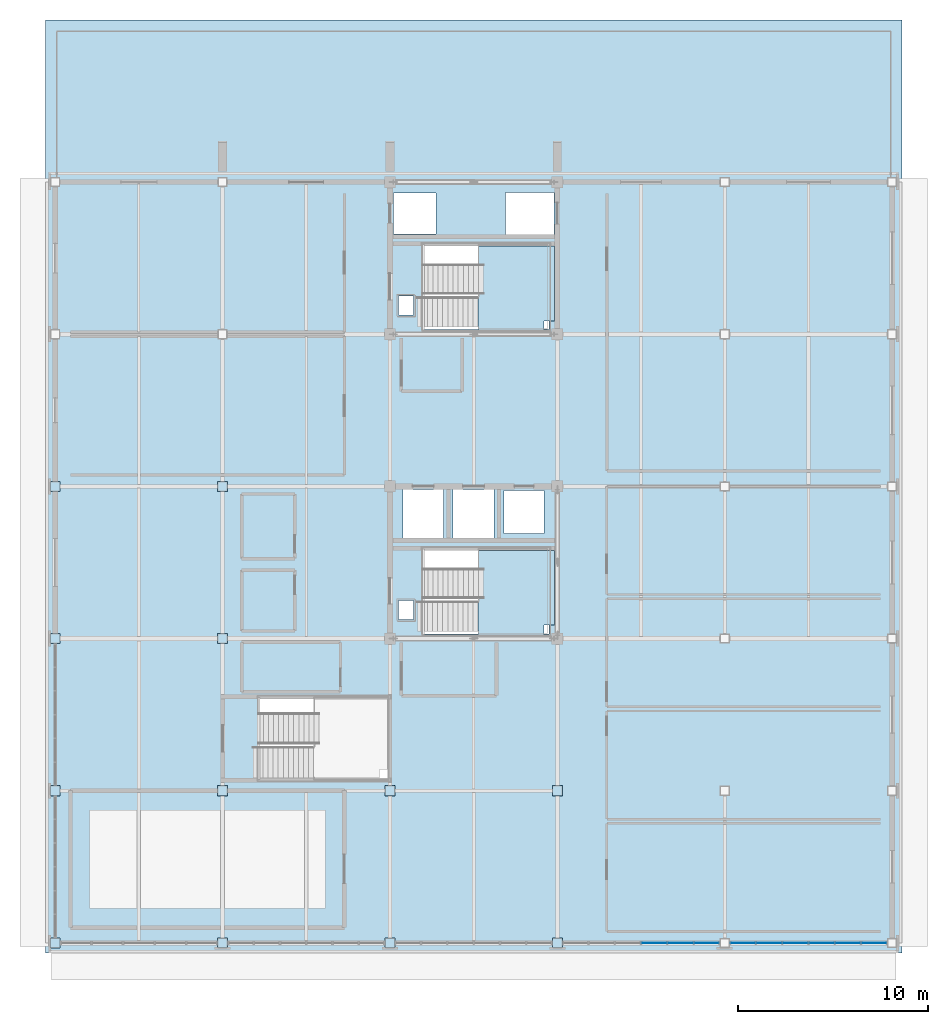
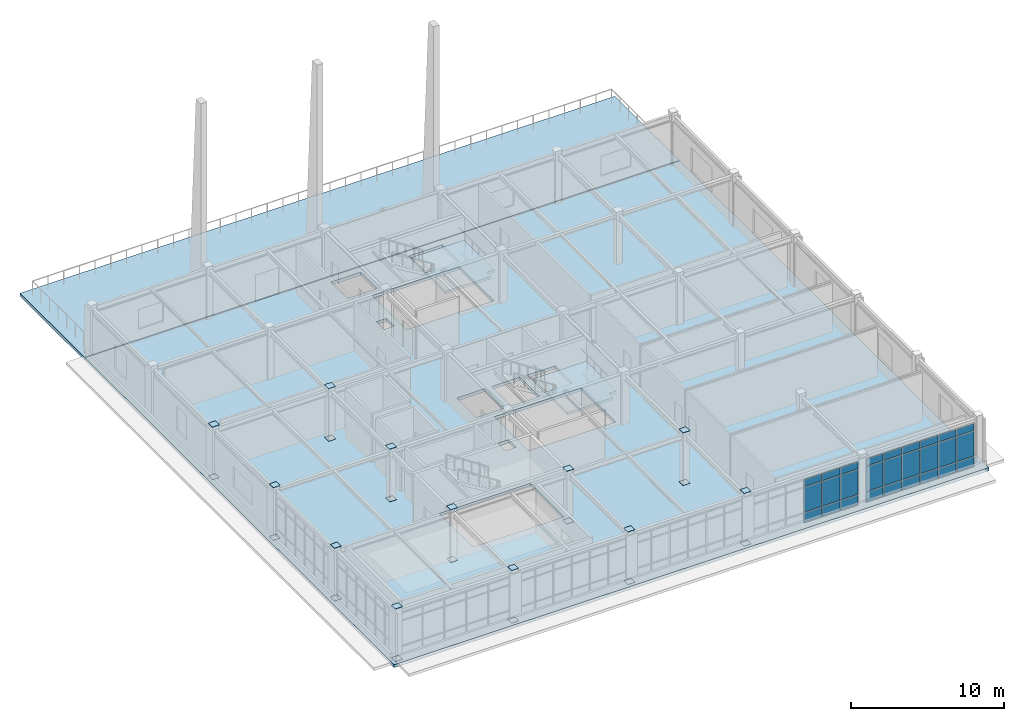
# One storey, part 10 of 22: 51 plates, 4 slabs, 4 elements without a shape of their own.
"""IFC4 building model written with IfcOpenShell, lengths in metres."""

from ifc_helpers import new_model, si_unit, direction, frame, origin, origin_2d, place, context, subcontext, project, spatial, polyline, rectangle, outline, extrude, material, layer, layer_set, type_object, element, aggregate, save


model = new_model("IFC4")

# Units and contexts
model_context = context("Model", 3, precision=1e-05, world=origin(), true_north=direction((0.0, 1.0)))
body_context = subcontext(model_context, "Body", "Model", "MODEL_VIEW")
ifc_project = project(units=[si_unit("LENGTHUNIT", "METRE"), si_unit("AREAUNIT", "SQUARE_METRE"), si_unit("VOLUMEUNIT", "CUBIC_METRE"), si_unit("PLANEANGLEUNIT", "RADIAN"), si_unit("MASSUNIT", "GRAM", prefix="KILO")], contexts=[model_context])

# Site, building, storey
site_placement = place(None, origin())
site = spatial("IfcSite", under=ifc_project, at=site_placement, CompositionType="ELEMENT")
building_placement = place(site_placement, origin())
building = spatial("IfcBuilding", under=site, at=building_placement, Name="Zhaolan Boulevard Law Courts", CompositionType="ELEMENT")
storey_placement = place(building_placement, frame((0.0, 0.0, 28.800048828125)))
storey = spatial("IfcBuildingStorey", under=building, at=storey_placement, Name="L06", CompositionType="ELEMENT", Elevation=28.800048828125)

# Curtain wall, plates
ifc_material_1 = material(Name="Thermally broken aluminium and low-E glazing", Category="aluminium")
curtain_wall_type_1 = type_object("IfcCurtainWallType", Name="CURTAIN WALL M11", PredefinedType="USERDEFINED", material=ifc_material_1)
curtain_wall_1_placement = place(storey_placement, origin())
curtain_wall_1 = element("IfcCurtainWall", 1, at=curtain_wall_1_placement, inside=storey, type_object=curtain_wall_type_1, Name="Curtain Wall CW-L06-227", ObjectType="CURTAIN WALL", PredefinedType="USERDEFINED")
ifc_material_2 = material(Name="Triple-silver low-E insulated glazing", Category="glass")
ifc_layer_1 = layer(ifc_material_2, 0.028076171875)
ifc_layer_set_1 = layer_set([ifc_layer_1])
plate_type_1 = type_object("IfcPlateType", Name="CWPANEL LOW E28", PredefinedType="CURTAIN_PANEL", material=ifc_layer_set_1)
plate_1_placement = place(storey_placement, frame((31.491455078125, 30.0, 0.059814453125), z_axis=(0.0, 0.0, 1.0), x_axis=(1.0, 0.0, 0.0)))
plate_1 = element("IfcPlate", 2, at=plate_1_placement, type_object=plate_type_1, Name="CW-L06-227 panel 4.1", PredefinedType="CURTAIN_PANEL", context=body_context, shape_type="SweptSolid", body=[
    extrude(rectangle(XDim=1.32275390625, YDim=0.028076171875, at=origin_2d()), origin(), (0.0, 0.0, 1.0), 0.81005859375),
])
plate_2_placement = place(storey_placement, frame((31.491455078125, 30.0, 0.929931640625), z_axis=(0.0, 0.0, 1.0), x_axis=(1.0, 0.0, 0.0)))
plate_2 = element("IfcPlate", 3, at=plate_2_placement, type_object=plate_type_1, Name="CW-L06-227 panel 4.2", PredefinedType="CURTAIN_PANEL", context=body_context, shape_type="SweptSolid", body=[
    extrude(rectangle(XDim=1.32275390625, YDim=0.028076171875, at=origin_2d()), origin(), (0.0, 0.0, 1.0), 1.98291015625),
])
plate_3_placement = place(storey_placement, frame((31.491455078125, 30.0, 2.972900390625), z_axis=(0.0, 0.0, 1.0), x_axis=(1.0, 0.0, 0.0)))
plate_3 = element("IfcPlate", 4, at=plate_3_placement, type_object=plate_type_1, Name="CW-L06-227 panel 4.3", PredefinedType="CURTAIN_PANEL", context=body_context, shape_type="SweptSolid", body=[
    extrude(rectangle(XDim=1.32275390625, YDim=0.028076171875, at=origin_2d()), origin(), (0.0, 0.0, 1.0), 0.56005859375),
])
plate_4_placement = place(storey_placement, frame((32.8740234375, 30.0, 0.059814453125), z_axis=(0.0, 0.0, 1.0), x_axis=(1.0, 0.0, 0.0)))
plate_4 = element("IfcPlate", 5, at=plate_4_placement, type_object=plate_type_1, Name="CW-L06-227 panel 5.1", PredefinedType="CURTAIN_PANEL", context=body_context, shape_type="SweptSolid", body=[
    extrude(rectangle(XDim=1.32275390625, YDim=0.028076171875, at=origin_2d()), origin(), (0.0, 0.0, 1.0), 0.81005859375),
])
plate_5_placement = place(storey_placement, frame((32.8740234375, 30.0, 0.929931640625), z_axis=(0.0, 0.0, 1.0), x_axis=(1.0, 0.0, 0.0)))
plate_5 = element("IfcPlate", 6, at=plate_5_placement, type_object=plate_type_1, Name="CW-L06-227 panel 5.2", PredefinedType="CURTAIN_PANEL", context=body_context, shape_type="SweptSolid", body=[
    extrude(rectangle(XDim=1.32275390625, YDim=0.028076171875, at=origin_2d()), origin(), (0.0, 0.0, 1.0), 1.98291015625),
])
plate_6_placement = place(storey_placement, frame((32.8740234375, 30.0, 2.972900390625), z_axis=(0.0, 0.0, 1.0), x_axis=(1.0, 0.0, 0.0)))
plate_6 = element("IfcPlate", 7, at=plate_6_placement, type_object=plate_type_1, Name="CW-L06-227 panel 5.3", PredefinedType="CURTAIN_PANEL", context=body_context, shape_type="SweptSolid", body=[
    extrude(rectangle(XDim=1.32275390625, YDim=0.028076171875, at=origin_2d()), origin(), (0.0, 0.0, 1.0), 0.56005859375),
])
plate_7_placement = place(storey_placement, frame((34.24169921875, 30.0, 0.059814453125), z_axis=(0.0, 0.0, 1.0), x_axis=(1.0, 0.0, 0.0)))
plate_7 = element("IfcPlate", 8, at=plate_7_placement, type_object=plate_type_1, Name="CW-L06-227 panel 6.1", PredefinedType="CURTAIN_PANEL", context=body_context, shape_type="SweptSolid", body=[
    extrude(rectangle(XDim=1.292724609375, YDim=0.028076171875, at=origin_2d()), origin(), (0.0, 0.0, 1.0), 0.81005859375),
])
plate_8_placement = place(storey_placement, frame((34.24169921875, 30.0, 0.929931640625), z_axis=(0.0, 0.0, 1.0), x_axis=(1.0, 0.0, 0.0)))
plate_8 = element("IfcPlate", 9, at=plate_8_placement, type_object=plate_type_1, Name="CW-L06-227 panel 6.2", PredefinedType="CURTAIN_PANEL", context=body_context, shape_type="SweptSolid", body=[
    extrude(rectangle(XDim=1.292724609375, YDim=0.028076171875, at=origin_2d()), origin(), (0.0, 0.0, 1.0), 1.98291015625),
])
plate_9_placement = place(storey_placement, frame((34.24169921875, 30.0, 2.972900390625), z_axis=(0.0, 0.0, 1.0), x_axis=(1.0, 0.0, 0.0)))
plate_9 = element("IfcPlate", 10, at=plate_9_placement, type_object=plate_type_1, Name="CW-L06-227 panel 6.3", PredefinedType="CURTAIN_PANEL", context=body_context, shape_type="SweptSolid", body=[
    extrude(rectangle(XDim=1.292724609375, YDim=0.028076171875, at=origin_2d()), origin(), (0.0, 0.0, 1.0), 0.56005859375),
])
aggregate(curtain_wall_1, [plate_1, plate_2, plate_3, plate_4, plate_5, plate_6, plate_7, plate_8, plate_9])

ifc_material_3 = material(Name="Thermally broken aluminium and low-E glazing", Category="aluminium")
curtain_wall_type_2 = type_object("IfcCurtainWallType", Name="CURTAIN WALL M12", PredefinedType="USERDEFINED", material=ifc_material_3)
curtain_wall_2_placement = place(storey_placement, origin())
curtain_wall_2 = element("IfcCurtainWall", 11, at=curtain_wall_2_placement, inside=storey, type_object=curtain_wall_type_2, Name="Curtain Wall CW-L06-228", ObjectType="CURTAIN WALL", PredefinedType="USERDEFINED")
plate_10_placement = place(storey_placement, frame((36.158447265625, 30.0, 0.059814453125), z_axis=(0.0, 0.0, 1.0), x_axis=(1.0, 0.0, 0.0)))
plate_10 = element("IfcPlate", 12, at=plate_10_placement, type_object=plate_type_1, Name="CW-L06-228 panel 1.1", PredefinedType="CURTAIN_PANEL", context=body_context, shape_type="SweptSolid", body=[
    extrude(rectangle(XDim=1.292724609375, YDim=0.028076171875, at=origin_2d()), origin(), (0.0, 0.0, 1.0), 0.81005859375),
])
plate_11_placement = place(storey_placement, frame((36.158447265625, 30.0, 0.929931640625), z_axis=(0.0, 0.0, 1.0), x_axis=(1.0, 0.0, 0.0)))
plate_11 = element("IfcPlate", 13, at=plate_11_placement, type_object=plate_type_1, Name="CW-L06-228 panel 1.2", PredefinedType="CURTAIN_PANEL", context=body_context, shape_type="SweptSolid", body=[
    extrude(rectangle(XDim=1.292724609375, YDim=0.028076171875, at=origin_2d()), origin(), (0.0, 0.0, 1.0), 1.98291015625),
])
plate_12_placement = place(storey_placement, frame((36.158447265625, 30.0, 2.972900390625), z_axis=(0.0, 0.0, 1.0), x_axis=(1.0, 0.0, 0.0)))
plate_12 = element("IfcPlate", 14, at=plate_12_placement, type_object=plate_type_1, Name="CW-L06-228 panel 1.3", PredefinedType="CURTAIN_PANEL", context=body_context, shape_type="SweptSolid", body=[
    extrude(rectangle(XDim=1.292724609375, YDim=0.028076171875, at=origin_2d()), origin(), (0.0, 0.0, 1.0), 0.56005859375),
])
plate_13_placement = place(storey_placement, frame((37.52587890625, 30.0, 0.059814453125), z_axis=(0.0, 0.0, 1.0), x_axis=(1.0, 0.0, 0.0)))
plate_13 = element("IfcPlate", 15, at=plate_13_placement, type_object=plate_type_1, Name="CW-L06-228 panel 2.1", PredefinedType="CURTAIN_PANEL", context=body_context, shape_type="SweptSolid", body=[
    extrude(rectangle(XDim=1.32275390625, YDim=0.028076171875, at=origin_2d()), origin(), (0.0, 0.0, 1.0), 0.81005859375),
])
plate_14_placement = place(storey_placement, frame((37.52587890625, 30.0, 0.929931640625), z_axis=(0.0, 0.0, 1.0), x_axis=(1.0, 0.0, 0.0)))
plate_14 = element("IfcPlate", 16, at=plate_14_placement, type_object=plate_type_1, Name="CW-L06-228 panel 2.2", PredefinedType="CURTAIN_PANEL", context=body_context, shape_type="SweptSolid", body=[
    extrude(rectangle(XDim=1.32275390625, YDim=0.028076171875, at=origin_2d()), origin(), (0.0, 0.0, 1.0), 1.98291015625),
])
plate_15_placement = place(storey_placement, frame((37.52587890625, 30.0, 2.972900390625), z_axis=(0.0, 0.0, 1.0), x_axis=(1.0, 0.0, 0.0)))
plate_15 = element("IfcPlate", 17, at=plate_15_placement, type_object=plate_type_1, Name="CW-L06-228 panel 2.3", PredefinedType="CURTAIN_PANEL", context=body_context, shape_type="SweptSolid", body=[
    extrude(rectangle(XDim=1.32275390625, YDim=0.028076171875, at=origin_2d()), origin(), (0.0, 0.0, 1.0), 0.56005859375),
])
plate_16_placement = place(storey_placement, frame((38.90869140625, 30.0, 0.059814453125), z_axis=(0.0, 0.0, 1.0), x_axis=(1.0, 0.0, 0.0)))
plate_16 = element("IfcPlate", 18, at=plate_16_placement, type_object=plate_type_1, Name="CW-L06-228 panel 3.1", PredefinedType="CURTAIN_PANEL", context=body_context, shape_type="SweptSolid", body=[
    extrude(rectangle(XDim=1.32275390625, YDim=0.028076171875, at=origin_2d()), origin(), (0.0, 0.0, 1.0), 0.81005859375),
])
plate_17_placement = place(storey_placement, frame((38.90869140625, 30.0, 0.929931640625), z_axis=(0.0, 0.0, 1.0), x_axis=(1.0, 0.0, 0.0)))
plate_17 = element("IfcPlate", 19, at=plate_17_placement, type_object=plate_type_1, Name="CW-L06-228 panel 3.2", PredefinedType="CURTAIN_PANEL", context=body_context, shape_type="SweptSolid", body=[
    extrude(rectangle(XDim=1.32275390625, YDim=0.028076171875, at=origin_2d()), origin(), (0.0, 0.0, 1.0), 1.98291015625),
])
plate_18_placement = place(storey_placement, frame((38.90869140625, 30.0, 2.972900390625), z_axis=(0.0, 0.0, 1.0), x_axis=(1.0, 0.0, 0.0)))
plate_18 = element("IfcPlate", 20, at=plate_18_placement, type_object=plate_type_1, Name="CW-L06-228 panel 3.3", PredefinedType="CURTAIN_PANEL", context=body_context, shape_type="SweptSolid", body=[
    extrude(rectangle(XDim=1.32275390625, YDim=0.028076171875, at=origin_2d()), origin(), (0.0, 0.0, 1.0), 0.56005859375),
])
plate_19_placement = place(storey_placement, frame((40.291259765625, 30.0, 0.059814453125), z_axis=(0.0, 0.0, 1.0), x_axis=(1.0, 0.0, 0.0)))
plate_19 = element("IfcPlate", 21, at=plate_19_placement, type_object=plate_type_1, Name="CW-L06-228 panel 4.1", PredefinedType="CURTAIN_PANEL", context=body_context, shape_type="SweptSolid", body=[
    extrude(rectangle(XDim=1.32275390625, YDim=0.028076171875, at=origin_2d()), origin(), (0.0, 0.0, 1.0), 0.81005859375),
])
plate_20_placement = place(storey_placement, frame((40.291259765625, 30.0, 0.929931640625), z_axis=(0.0, 0.0, 1.0), x_axis=(1.0, 0.0, 0.0)))
plate_20 = element("IfcPlate", 22, at=plate_20_placement, type_object=plate_type_1, Name="CW-L06-228 panel 4.2", PredefinedType="CURTAIN_PANEL", context=body_context, shape_type="SweptSolid", body=[
    extrude(rectangle(XDim=1.32275390625, YDim=0.028076171875, at=origin_2d()), origin(), (0.0, 0.0, 1.0), 1.98291015625),
])
plate_21_placement = place(storey_placement, frame((40.291259765625, 30.0, 2.972900390625), z_axis=(0.0, 0.0, 1.0), x_axis=(1.0, 0.0, 0.0)))
plate_21 = element("IfcPlate", 23, at=plate_21_placement, type_object=plate_type_1, Name="CW-L06-228 panel 4.3", PredefinedType="CURTAIN_PANEL", context=body_context, shape_type="SweptSolid", body=[
    extrude(rectangle(XDim=1.32275390625, YDim=0.028076171875, at=origin_2d()), origin(), (0.0, 0.0, 1.0), 0.56005859375),
])
plate_22_placement = place(storey_placement, frame((41.674072265625, 30.0, 0.059814453125), z_axis=(0.0, 0.0, 1.0), x_axis=(1.0, 0.0, 0.0)))
plate_22 = element("IfcPlate", 24, at=plate_22_placement, type_object=plate_type_1, Name="CW-L06-228 panel 5.1", PredefinedType="CURTAIN_PANEL", context=body_context, shape_type="SweptSolid", body=[
    extrude(rectangle(XDim=1.32275390625, YDim=0.028076171875, at=origin_2d()), origin(), (0.0, 0.0, 1.0), 0.81005859375),
])
plate_23_placement = place(storey_placement, frame((41.674072265625, 30.0, 0.929931640625), z_axis=(0.0, 0.0, 1.0), x_axis=(1.0, 0.0, 0.0)))
plate_23 = element("IfcPlate", 25, at=plate_23_placement, type_object=plate_type_1, Name="CW-L06-228 panel 5.2", PredefinedType="CURTAIN_PANEL", context=body_context, shape_type="SweptSolid", body=[
    extrude(rectangle(XDim=1.32275390625, YDim=0.028076171875, at=origin_2d()), origin(), (0.0, 0.0, 1.0), 1.98291015625),
])
plate_24_placement = place(storey_placement, frame((41.674072265625, 30.0, 2.972900390625), z_axis=(0.0, 0.0, 1.0), x_axis=(1.0, 0.0, 0.0)))
plate_24 = element("IfcPlate", 26, at=plate_24_placement, type_object=plate_type_1, Name="CW-L06-228 panel 5.3", PredefinedType="CURTAIN_PANEL", context=body_context, shape_type="SweptSolid", body=[
    extrude(rectangle(XDim=1.32275390625, YDim=0.028076171875, at=origin_2d()), origin(), (0.0, 0.0, 1.0), 0.56005859375),
])
plate_25_placement = place(storey_placement, frame((43.041748046875, 30.0, 0.059814453125), z_axis=(0.0, 0.0, 1.0), x_axis=(1.0, 0.0, 0.0)))
plate_25 = element("IfcPlate", 27, at=plate_25_placement, type_object=plate_type_1, Name="CW-L06-228 panel 6.1", PredefinedType="CURTAIN_PANEL", context=body_context, shape_type="SweptSolid", body=[
    extrude(rectangle(XDim=1.292724609375, YDim=0.028076171875, at=origin_2d()), origin(), (0.0, 0.0, 1.0), 0.81005859375),
])
plate_26_placement = place(storey_placement, frame((43.041748046875, 30.0, 0.929931640625), z_axis=(0.0, 0.0, 1.0), x_axis=(1.0, 0.0, 0.0)))
plate_26 = element("IfcPlate", 28, at=plate_26_placement, type_object=plate_type_1, Name="CW-L06-228 panel 6.2", PredefinedType="CURTAIN_PANEL", context=body_context, shape_type="SweptSolid", body=[
    extrude(rectangle(XDim=1.292724609375, YDim=0.028076171875, at=origin_2d()), origin(), (0.0, 0.0, 1.0), 1.98291015625),
])
plate_27_placement = place(storey_placement, frame((43.041748046875, 30.0, 2.972900390625), z_axis=(0.0, 0.0, 1.0), x_axis=(1.0, 0.0, 0.0)))
plate_27 = element("IfcPlate", 29, at=plate_27_placement, type_object=plate_type_1, Name="CW-L06-228 panel 6.3", PredefinedType="CURTAIN_PANEL", context=body_context, shape_type="SweptSolid", body=[
    extrude(rectangle(XDim=1.292724609375, YDim=0.028076171875, at=origin_2d()), origin(), (0.0, 0.0, 1.0), 0.56005859375),
])
aggregate(curtain_wall_2, [plate_10, plate_11, plate_12, plate_13, plate_14, plate_15, plate_16, plate_17, plate_18, plate_19, plate_20, plate_21, plate_22, plate_23, plate_24, plate_25, plate_26, plate_27])

# Plates
ifc_material_4 = material(Name="Structural steel Q355B", Category="steel")
ifc_layer_2 = layer(ifc_material_4, 0.02001953125)
ifc_layer_set_2 = layer_set([ifc_layer_2])
plate_type_2 = type_object("IfcPlateType", Name="END CAP PLATE 20", PredefinedType="SHEET", material=ifc_layer_set_2)
for number, where, z_axis, x_axis, name in (
    (30, (0.0, 30.0, -0.01806640625), (0.0, 0.0, 1.0), (1.0, 0.0, 0.0), "Hollow Section End-Cap Plate ECP-0015"),
    (31, (0.0, 30.0, 4.197998046875), (0.0, 0.0, 1.0), (1.0, 0.0, 0.0), "Hollow Section End-Cap Plate ECP-0016"),
    (32, (0.0, 38.0, -0.01806640625), (0.0, 0.0, 1.0), (1.0, 0.0, 0.0), "Hollow Section End-Cap Plate ECP-0035"),
    (33, (0.0, 38.0, 4.197998046875), (0.0, 0.0, 1.0), (1.0, 0.0, 0.0), "Hollow Section End-Cap Plate ECP-0036"),
    (34, (0.0, 46.0, -0.01806640625), (0.0, 0.0, 1.0), (1.0, 0.0, 0.0), "Hollow Section End-Cap Plate ECP-0057"),
    (35, (0.0, 46.0, 4.197998046875), (0.0, 0.0, 1.0), (1.0, 0.0, 0.0), "Hollow Section End-Cap Plate ECP-0058"),
    (36, (0.0, 54.0, -0.01806640625), (0.0, 0.0, 1.0), (1.0, 0.0, 0.0), "Hollow Section End-Cap Plate ECP-0079"),
    (37, (0.0, 54.0, 4.197998046875), (0.0, 0.0, 1.0), (1.0, 0.0, 0.0), "Hollow Section End-Cap Plate ECP-0080"),
    (38, (8.800048828125, 30.0, -0.01806640625), (0.0, 0.0, 1.0), (1.0, 0.0, 0.0), "Hollow Section End-Cap Plate ECP-0149"),
    (39, (8.800048828125, 30.0, 4.197998046875), (0.0, 0.0, 1.0), (1.0, 0.0, 0.0), "Hollow Section End-Cap Plate ECP-0150"),
    (40, (8.800048828125, 38.0, -0.01806640625), (0.0, 0.0, 1.0), (1.0, 0.0, 0.0), "Hollow Section End-Cap Plate ECP-0169"),
    (41, (8.800048828125, 38.0, 4.197998046875), (0.0, 0.0, 1.0), (1.0, 0.0, 0.0), "Hollow Section End-Cap Plate ECP-0170"),
    (42, (8.800048828125, 46.0, -0.01806640625), (0.0, 0.0, 1.0), (1.0, 0.0, 0.0), "Hollow Section End-Cap Plate ECP-0191"),
    (43, (8.800048828125, 46.0, 4.197998046875), (0.0, 0.0, 1.0), (1.0, 0.0, 0.0), "Hollow Section End-Cap Plate ECP-0192"),
    (44, (8.800048828125, 54.0, -0.01806640625), (0.0, 0.0, 1.0), (1.0, 0.0, 0.0), "Hollow Section End-Cap Plate ECP-0213"),
    (45, (8.800048828125, 54.0, 4.197998046875), (0.0, 0.0, 1.0), (1.0, 0.0, 0.0), "Hollow Section End-Cap Plate ECP-0214"),
    (46, (17.60009765625, 30.0, -0.01806640625), (0.0, 0.0, 1.0), (1.0, 0.0, 0.0), "Hollow Section End-Cap Plate ECP-0283"),
    (47, (17.60009765625, 30.0, 4.197998046875), (0.0, 0.0, 1.0), (1.0, 0.0, 0.0), "Hollow Section End-Cap Plate ECP-0284"),
    (48, (17.60009765625, 38.0, -0.01806640625), (0.0, 0.0, 1.0), (1.0, 0.0, 0.0), "Hollow Section End-Cap Plate ECP-0303"),
    (49, (17.60009765625, 38.0, 4.197998046875), (0.0, 0.0, 1.0), (1.0, 0.0, 0.0), "Hollow Section End-Cap Plate ECP-0304"),
    (50, (26.39990234375, 30.0, -0.01806640625), (0.0, 0.0, 1.0), (1.0, 0.0, 0.0), "Hollow Section End-Cap Plate ECP-0329"),
    (51, (26.39990234375, 30.0, 4.197998046875), (0.0, 0.0, 1.0), (1.0, 0.0, 0.0), "Hollow Section End-Cap Plate ECP-0330"),
    (52, (26.39990234375, 38.0, -0.01806640625), (0.0, 0.0, 1.0), (1.0, 0.0, 0.0), "Hollow Section End-Cap Plate ECP-0349"),
    (53, (26.39990234375, 38.0, 4.197998046875), (0.0, 0.0, 1.0), (1.0, 0.0, 0.0), "Hollow Section End-Cap Plate ECP-0350"),
):
    element("IfcPlate", number, at=place(storey_placement, frame(where, z_axis=z_axis, x_axis=x_axis)), inside=storey, type_object=plate_type_2, Name=name, PredefinedType="SHEET", context=body_context, shape_type="SweptSolid", body=[
        extrude(rectangle(XDim=0.530029296875, YDim=0.530029296875, at=origin_2d()), origin(), (0.0, 0.0, 1.0), 0.02001953125),
    ])

# Slab
ifc_material_5 = material(Name="Concrete C40", Category="concrete")
ifc_layer_3 = layer(ifc_material_5, 0.25)
ifc_layer_set_3 = layer_set([ifc_layer_3])
slab_type_1 = type_object("IfcSlabType", Name="FLOOR SLAB 250", PredefinedType="FLOOR", material=ifc_layer_set_3)
slab_1_placement = place(storey_placement, frame((0.0, 0.0, -0.25)))
element("IfcSlab", 54, at=slab_1_placement, inside=storey, type_object=slab_type_1, Name="Slab SLB-L06-V5", PredefinedType="FLOOR", context=body_context, shape_type="SweptSolid", body=[
    extrude(outline(polyline([(-0.52001953125, 29.47998046875), (44.52001953125, 29.47998046875), (44.52001953125, 70.0), (-0.52001953125, 70.0), (-0.52001953125, 29.47998046875)]), holes=[polyline([(18.27490234375, 51.27490234375), (20.425048828125, 51.27490234375), (20.425048828125, 53.824951171875), (18.27490234375, 53.824951171875), (18.27490234375, 51.27490234375)]), polyline([(20.925048828125, 51.27490234375), (23.074951171875, 51.27490234375), (23.074951171875, 53.824951171875), (20.925048828125, 53.824951171875), (20.925048828125, 51.27490234375)]), polyline([(23.675048828125, 67.25), (26.22509765625, 67.25), (26.22509765625, 69.449951171875), (23.675048828125, 69.449951171875), (23.675048828125, 67.25)]), polyline([(23.60009765625, 51.52490234375), (25.699951171875, 51.52490234375), (25.699951171875, 53.77490234375), (23.60009765625, 53.77490234375), (23.60009765625, 51.52490234375)]), polyline([(17.77490234375, 67.27490234375), (20.02490234375, 67.27490234375), (20.02490234375, 69.425048828125), (17.77490234375, 69.425048828125), (17.77490234375, 67.27490234375)]), polyline([(19.35009765625, 46.25), (25.949951171875, 46.25), (25.949951171875, 50.75), (19.35009765625, 50.75), (19.35009765625, 46.25)]), polyline([(19.35009765625, 62.25), (25.949951171875, 62.25), (25.949951171875, 66.75), (19.35009765625, 66.75), (19.35009765625, 62.25)]), polyline([(10.699951171875, 38.550048828125), (17.60009765625, 38.550048828125), (17.60009765625, 42.949951171875), (10.699951171875, 42.949951171875), (10.699951171875, 38.550048828125)]), polyline([(18.050048828125, 47.0), (18.85009765625, 47.0), (18.85009765625, 48.0), (18.050048828125, 48.0), (18.050048828125, 47.0)]), polyline([(18.050048828125, 63.0), (18.85009765625, 63.0), (18.85009765625, 64.0), (18.050048828125, 64.0), (18.050048828125, 63.0)])]), origin(), (0.0, 0.0, 1.0), 0.25),
])

# Stair, slab
ifc_material_6 = material(Name="Concrete C40", Category="concrete")
stair_type = type_object("IfcStairType", Name="HALF TURN STAIR 42 B", PredefinedType="HALF_TURN_STAIR", material=ifc_material_6)
stair_1_placement = place(storey_placement, origin())
stair_1 = element("IfcStair", 55, at=stair_1_placement, inside=storey, type_object=stair_type, Name="Stair ST01-L06", PredefinedType="HALF_TURN_STAIR")
ifc_material_7 = material(Name="Concrete C40", Category="concrete")
ifc_layer_4 = layer(ifc_material_7, 0.199951171875)
ifc_layer_set_4 = layer_set([ifc_layer_4])
slab_type_2 = type_object("IfcSlabType", Name="STAIR LANDING 200", PredefinedType="LANDING", material=ifc_layer_set_4)
slab_2_placement = place(storey_placement, frame((0.0, 0.0, 1.89990234375)))
slab_2 = element("IfcSlab", 56, at=slab_2_placement, type_object=slab_type_2, Name="Stair Landing ST01-L06-L1", PredefinedType="LANDING", context=body_context, shape_type="SweptSolid", body=[
    extrude(outline(polyline([(22.22998046875, 46.14501953125), (25.695068359375, 46.14501953125), (25.695068359375, 46.705078125), (26.2548828125, 46.705078125), (26.2548828125, 50.639892578125), (22.22998046875, 50.639892578125), (22.22998046875, 46.14501953125)])), origin(), (0.0, 0.0, 1.0), 0.199951171875),
])
aggregate(stair_1, [slab_2])

stair_2_placement = place(storey_placement, origin())
stair_2 = element("IfcStair", 57, at=stair_2_placement, inside=storey, type_object=stair_type, Name="Stair ST02-L06", PredefinedType="HALF_TURN_STAIR")
slab_3_placement = place(storey_placement, frame((0.0, 0.0, 1.89990234375)))
slab_3 = element("IfcSlab", 58, at=slab_3_placement, type_object=slab_type_2, Name="Stair Landing ST02-L06-L1", PredefinedType="LANDING", context=body_context, shape_type="SweptSolid", body=[
    extrude(outline(polyline([(22.22998046875, 62.14501953125), (25.695068359375, 62.14501953125), (25.695068359375, 62.705078125), (26.2548828125, 62.705078125), (26.2548828125, 66.639892578125), (22.22998046875, 66.639892578125), (22.22998046875, 62.14501953125)])), origin(), (0.0, 0.0, 1.0), 0.199951171875),
])
aggregate(stair_2, [slab_3])

# Slab
ifc_material_8 = material(Name="Concrete C40", Category="concrete")
ifc_layer_5 = layer(ifc_material_8, 0.25)
ifc_layer_set_5 = layer_set([ifc_layer_5])
slab_type_3 = type_object("IfcSlabType", Name="TERRACE SLAB 250", PredefinedType="FLOOR", material=ifc_layer_set_5)
slab_4_placement = place(storey_placement, frame((0.0, 0.0, -0.25)))
element("IfcSlab", 59, at=slab_4_placement, inside=storey, type_object=slab_type_3, Name="Slab SLB-L06-TER", PredefinedType="FLOOR", context=body_context, shape_type="SweptSolid", body=[
    extrude(outline(polyline([(-0.52001953125, 70.050048828125), (44.52001953125, 70.050048828125), (44.52001953125, 78.52001953125), (-0.52001953125, 78.52001953125), (-0.52001953125, 70.050048828125)])), origin(), (0.0, 0.0, 1.0), 0.25),
])

save(model, "model.ifc")
